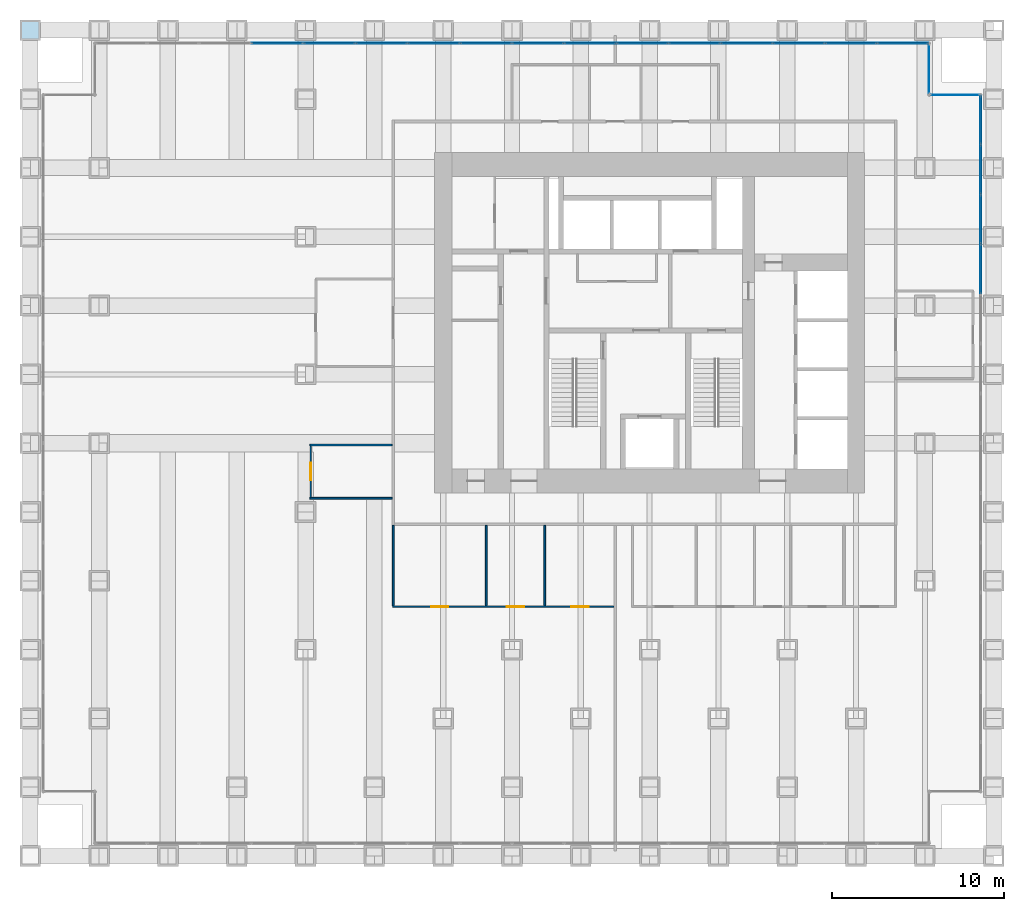
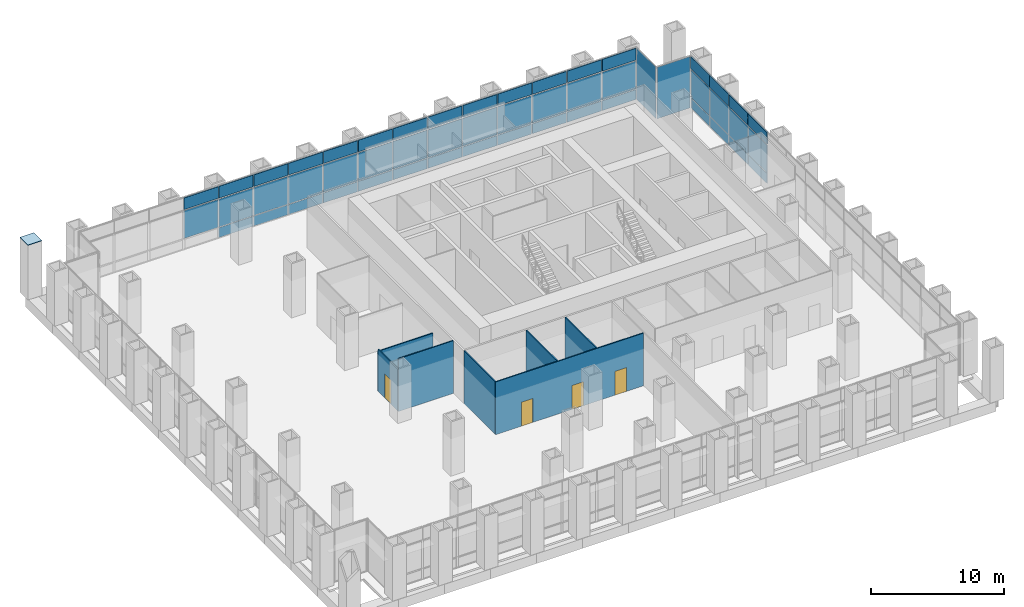
# One storey, part 14 of 18: 53 plates, 7 walls, 4 doors, 4 openings, 6 elements without a shape of their own.
"""IFC4 building model written with IfcOpenShell, lengths in metres."""

from ifc_helpers import new_model, si_unit, direction, frame, frame_2d, origin, origin_2d, place, context, subcontext, project, spatial, rectangle, extrude, material, layer, layer_set, type_object, element, fill, aggregate, save


model = new_model("IFC4")

# Units and contexts
model_context = context("Model", 3, precision=1e-05, world=origin(), true_north=direction((0.0, 1.0)))
body_context = subcontext(model_context, "Body", "Model", "MODEL_VIEW")
ifc_project = project(units=[si_unit("LENGTHUNIT", "METRE"), si_unit("AREAUNIT", "SQUARE_METRE"), si_unit("VOLUMEUNIT", "CUBIC_METRE"), si_unit("PLANEANGLEUNIT", "RADIAN"), si_unit("MASSUNIT", "GRAM", prefix="KILO")], contexts=[model_context])

# Site, building, storey
site_placement = place(None, origin())
site = spatial("IfcSite", under=ifc_project, at=site_placement, CompositionType="ELEMENT")
building_placement = place(site_placement, origin())
building = spatial("IfcBuilding", under=site, at=building_placement, Name="Rimbunsela Tower", CompositionType="ELEMENT")
storey_placement = place(building_placement, frame((0.0, 0.0, 6.0)))
storey = spatial("IfcBuildingStorey", under=building, at=storey_placement, Name="L01", CompositionType="ELEMENT", Elevation=6.0)

# Plate
ifc_material_1 = material(Name="Steel BJ 55 (fy 410 MPa)", Category="steel")
ifc_layer_1 = layer(ifc_material_1, 0.050048828125)
ifc_layer_set_1 = layer_set([ifc_layer_1], Name="End cap plate 50")
plate_type_1 = type_object("IfcPlateType", Name="End cap plate 50", PredefinedType="SHEET", material=ifc_layer_set_1)
plate_1_placement = place(storey_placement, frame((-6.0, 44.0, 5.0), z_axis=(0.0, 0.0, 1.0), x_axis=(1.0, 0.0, 0.0)))
element("IfcPlate", 1, at=plate_1_placement, inside=storey, type_object=plate_type_1, Name="End cap Column C6 1/N L01", PredefinedType="SHEET", context=body_context, shape_type="SweptSolid", body=[
    extrude(rectangle(XDim=1.199951171875, YDim=1.199951171875, at=origin_2d()), origin(), (0.0, 0.0, 1.0), 0.050048828125),
])

# Curtain wall, plate
ifc_material_2 = material(Name="Aluminium curtain wall", Category="aluminium")
curtain_wall_type_1 = type_object("IfcCurtainWallType", Name="Corner glazing", PredefinedType="USERDEFINED", material=ifc_material_2)
curtain_wall_1_placement = place(storey_placement, origin())
curtain_wall_1 = element("IfcCurtainWall", 2, at=curtain_wall_1_placement, inside=storey, type_object=curtain_wall_type_1, Name="Corner glazing L01", ObjectType="CORNER GLAZING", PredefinedType="USERDEFINED")
ifc_material_3 = material(Name="Clear double glazing", Category="glass")
ifc_layer_2 = layer(ifc_material_3, 0.028076171875)
ifc_layer_set_2 = layer_set([ifc_layer_2], Name="Glazed panel clear")
plate_type_2 = type_object("IfcPlateType", Name="Glazed panel clear", PredefinedType="CURTAIN_PANEL", material=ifc_layer_set_2)
plate_2_placement = place(storey_placement, frame((47.75, 40.25, 0.06005859375), z_axis=(0.0, 0.0, 1.0), x_axis=(-1.0, 0.0, 0.0)))
plate_2 = element("IfcPlate", 3, at=plate_2_placement, type_object=plate_type_2, Name="CW5 panel 1.1", PredefinedType="CURTAIN_PANEL", context=body_context, shape_type="SweptSolid", body=[
    extrude(rectangle(XDim=2.8798828125, YDim=0.028076171875, at=origin_2d()), origin(), (0.0, 0.0, 1.0), 4.72998046875),
])
aggregate(curtain_wall_1, [plate_2])

curtain_wall_2_placement = place(storey_placement, origin())
curtain_wall_2 = element("IfcCurtainWall", 4, at=curtain_wall_2_placement, inside=storey, type_object=curtain_wall_type_1, Name="Corner glazing L01", ObjectType="CORNER GLAZING", PredefinedType="USERDEFINED")
plate_3_placement = place(storey_placement, frame((46.25, 41.75, 0.06005859375), z_axis=(0.0, 0.0, 1.0), x_axis=(0.0, 1.0, 0.0)))
plate_3 = element("IfcPlate", 5, at=plate_3_placement, type_object=plate_type_2, Name="CW5 panel 1.1", PredefinedType="CURTAIN_PANEL", context=body_context, shape_type="SweptSolid", body=[
    extrude(rectangle(XDim=2.8798828125, YDim=0.028076171875, at=origin_2d()), origin(), (0.0, 0.0, 1.0), 4.72998046875),
])
aggregate(curtain_wall_2, [plate_3])

# Curtain wall, plates
ifc_material_4 = material(Name="Aluminium curtain wall", Category="aluminium")
curtain_wall_type_2 = type_object("IfcCurtainWallType", Name="Podium glazing", PredefinedType="USERDEFINED", material=ifc_material_4)
curtain_wall_3_placement = place(storey_placement, origin())
curtain_wall_3 = element("IfcCurtainWall", 6, at=curtain_wall_3_placement, inside=storey, type_object=curtain_wall_type_2, Name="Podium glazing L01", ObjectType="PODIUM GLAZING", PredefinedType="USERDEFINED")
ifc_material_5 = material(Name="Laminated double glazing", Category="glass")
ifc_layer_3 = layer(ifc_material_5, 0.0400390625)
ifc_layer_set_3 = layer_set([ifc_layer_3], Name="Glazed panel laminated 40")
plate_type_3 = type_object("IfcPlateType", Name="Glazed panel laminated 40", PredefinedType="CURTAIN_PANEL", material=ifc_layer_set_3)
plate_4_placement = place(storey_placement, frame((49.25, 30.125, 0.06005859375), z_axis=(0.0, 0.0, 1.0), x_axis=(0.0, 1.0, 0.0)))
plate_4 = element("IfcPlate", 7, at=plate_4_placement, type_object=plate_type_3, Name="CW1 panel 11.1", PredefinedType="CURTAIN_PANEL", context=body_context, shape_type="SweptSolid", body=[
    extrude(rectangle(XDim=2.832763671875, YDim=0.0400390625, at=origin_2d()), origin(), (0.0, 0.0, 1.0), 0.909912109375),
])
plate_5_placement = place(storey_placement, frame((49.25, 30.125, 1.030029296875), z_axis=(0.0, 0.0, 1.0), x_axis=(0.0, 1.0, 0.0)))
plate_5 = element("IfcPlate", 8, at=plate_5_placement, type_object=plate_type_3, Name="CW1 panel 11.2", PredefinedType="CURTAIN_PANEL", context=body_context, shape_type="SweptSolid", body=[
    extrude(rectangle(XDim=2.832763671875, YDim=0.0400390625, at=origin_2d()), origin(), (0.0, 0.0, 1.0), 2.56005859375),
])
plate_6_placement = place(storey_placement, frame((49.25, 33.017822265625, 0.06005859375), z_axis=(0.0, 0.0, 1.0), x_axis=(0.0, 1.0, 0.0)))
plate_6 = element("IfcPlate", 9, at=plate_6_placement, type_object=plate_type_3, Name="CW1 panel 12.1", PredefinedType="CURTAIN_PANEL", context=body_context, shape_type="SweptSolid", body=[
    extrude(rectangle(XDim=2.832763671875, YDim=0.0400390625, at=origin_2d()), origin(), (0.0, 0.0, 1.0), 0.909912109375),
])
plate_7_placement = place(storey_placement, frame((49.25, 33.017822265625, 1.030029296875), z_axis=(0.0, 0.0, 1.0), x_axis=(0.0, 1.0, 0.0)))
plate_7 = element("IfcPlate", 10, at=plate_7_placement, type_object=plate_type_3, Name="CW1 panel 12.2", PredefinedType="CURTAIN_PANEL", context=body_context, shape_type="SweptSolid", body=[
    extrude(rectangle(XDim=2.832763671875, YDim=0.0400390625, at=origin_2d()), origin(), (0.0, 0.0, 1.0), 2.56005859375),
])
plate_8_placement = place(storey_placement, frame((49.25, 35.91064453125, 0.06005859375), z_axis=(0.0, 0.0, 1.0), x_axis=(0.0, 1.0, 0.0)))
plate_8 = element("IfcPlate", 11, at=plate_8_placement, type_object=plate_type_3, Name="CW1 panel 13.1", PredefinedType="CURTAIN_PANEL", context=body_context, shape_type="SweptSolid", body=[
    extrude(rectangle(XDim=2.832763671875, YDim=0.0400390625, at=origin_2d()), origin(), (0.0, 0.0, 1.0), 0.909912109375),
])
plate_9_placement = place(storey_placement, frame((49.25, 35.91064453125, 1.030029296875), z_axis=(0.0, 0.0, 1.0), x_axis=(0.0, 1.0, 0.0)))
plate_9 = element("IfcPlate", 12, at=plate_9_placement, type_object=plate_type_3, Name="CW1 panel 13.2", PredefinedType="CURTAIN_PANEL", context=body_context, shape_type="SweptSolid", body=[
    extrude(rectangle(XDim=2.832763671875, YDim=0.0400390625, at=origin_2d()), origin(), (0.0, 0.0, 1.0), 2.56005859375),
])
plate_10_placement = place(storey_placement, frame((49.25, 38.78857421875, 0.06005859375), z_axis=(0.0, 0.0, 1.0), x_axis=(0.0, 1.0, 0.0)))
plate_10 = element("IfcPlate", 13, at=plate_10_placement, type_object=plate_type_3, Name="CW1 panel 14.1", PredefinedType="CURTAIN_PANEL", context=body_context, shape_type="SweptSolid", body=[
    extrude(rectangle(XDim=2.802978515625, YDim=0.0400390625, at=origin_2d()), origin(), (0.0, 0.0, 1.0), 0.909912109375),
])
plate_11_placement = place(storey_placement, frame((49.25, 38.78857421875, 1.030029296875), z_axis=(0.0, 0.0, 1.0), x_axis=(0.0, 1.0, 0.0)))
plate_11 = element("IfcPlate", 14, at=plate_11_placement, type_object=plate_type_3, Name="CW1 panel 14.2", PredefinedType="CURTAIN_PANEL", context=body_context, shape_type="SweptSolid", body=[
    extrude(rectangle(XDim=2.802978515625, YDim=0.0400390625, at=origin_2d()), origin(), (0.0, 0.0, 1.0), 2.56005859375),
])
aggregate(curtain_wall_3, [plate_4, plate_5, plate_6, plate_7, plate_8, plate_9, plate_10, plate_11])

curtain_wall_4_placement = place(storey_placement, origin())
curtain_wall_4 = element("IfcCurtainWall", 15, at=curtain_wall_4_placement, inside=storey, type_object=curtain_wall_type_2, Name="Podium glazing L01", ObjectType="PODIUM GLAZING", PredefinedType="USERDEFINED")
plate_12_placement = place(storey_placement, frame((44.719482421875, 43.25, 0.06005859375), z_axis=(0.0, 0.0, 1.0), x_axis=(-1.0, 0.0, 0.0)))
plate_12 = element("IfcPlate", 16, at=plate_12_placement, type_object=plate_type_3, Name="CW1 panel 1.1", PredefinedType="CURTAIN_PANEL", context=body_context, shape_type="SweptSolid", body=[
    extrude(rectangle(XDim=2.941162109375, YDim=0.0400390625, at=origin_2d()), origin(), (0.0, 0.0, 1.0), 0.909912109375),
])
plate_13_placement = place(storey_placement, frame((44.719482421875, 43.25, 1.030029296875), z_axis=(0.0, 0.0, 1.0), x_axis=(-1.0, 0.0, 0.0)))
plate_13 = element("IfcPlate", 17, at=plate_13_placement, type_object=plate_type_3, Name="CW1 panel 1.2", PredefinedType="CURTAIN_PANEL", context=body_context, shape_type="SweptSolid", body=[
    extrude(rectangle(XDim=2.941162109375, YDim=0.0400390625, at=origin_2d()), origin(), (0.0, 0.0, 1.0), 2.56005859375),
])
plate_14_placement = place(storey_placement, frame((41.703125, 43.25, 0.06005859375), z_axis=(0.0, 0.0, 1.0), x_axis=(-1.0, 0.0, 0.0)))
plate_14 = element("IfcPlate", 18, at=plate_14_placement, type_object=plate_type_3, Name="CW1 panel 2.1", PredefinedType="CURTAIN_PANEL", context=body_context, shape_type="SweptSolid", body=[
    extrude(rectangle(XDim=2.97119140625, YDim=0.0400390625, at=origin_2d()), origin(), (0.0, 0.0, 1.0), 0.909912109375),
])
plate_15_placement = place(storey_placement, frame((41.703125, 43.25, 1.030029296875), z_axis=(0.0, 0.0, 1.0), x_axis=(-1.0, 0.0, 0.0)))
plate_15 = element("IfcPlate", 19, at=plate_15_placement, type_object=plate_type_3, Name="CW1 panel 2.2", PredefinedType="CURTAIN_PANEL", context=body_context, shape_type="SweptSolid", body=[
    extrude(rectangle(XDim=2.97119140625, YDim=0.0400390625, at=origin_2d()), origin(), (0.0, 0.0, 1.0), 2.56005859375),
])
plate_16_placement = place(storey_placement, frame((38.671875, 43.25, 0.06005859375), z_axis=(0.0, 0.0, 1.0), x_axis=(-1.0, 0.0, 0.0)))
plate_16 = element("IfcPlate", 20, at=plate_16_placement, type_object=plate_type_3, Name="CW1 panel 3.1", PredefinedType="CURTAIN_PANEL", context=body_context, shape_type="SweptSolid", body=[
    extrude(rectangle(XDim=2.97119140625, YDim=0.0400390625, at=origin_2d()), origin(), (0.0, 0.0, 1.0), 0.909912109375),
])
plate_17_placement = place(storey_placement, frame((38.671875, 43.25, 1.030029296875), z_axis=(0.0, 0.0, 1.0), x_axis=(-1.0, 0.0, 0.0)))
plate_17 = element("IfcPlate", 21, at=plate_17_placement, type_object=plate_type_3, Name="CW1 panel 3.2", PredefinedType="CURTAIN_PANEL", context=body_context, shape_type="SweptSolid", body=[
    extrude(rectangle(XDim=2.97119140625, YDim=0.0400390625, at=origin_2d()), origin(), (0.0, 0.0, 1.0), 2.56005859375),
])
plate_18_placement = place(storey_placement, frame((35.640625, 43.25, 0.06005859375), z_axis=(0.0, 0.0, 1.0), x_axis=(-1.0, 0.0, 0.0)))
plate_18 = element("IfcPlate", 22, at=plate_18_placement, type_object=plate_type_3, Name="CW1 panel 4.1", PredefinedType="CURTAIN_PANEL", context=body_context, shape_type="SweptSolid", body=[
    extrude(rectangle(XDim=2.97119140625, YDim=0.0400390625, at=origin_2d()), origin(), (0.0, 0.0, 1.0), 0.909912109375),
])
plate_19_placement = place(storey_placement, frame((35.640625, 43.25, 1.030029296875), z_axis=(0.0, 0.0, 1.0), x_axis=(-1.0, 0.0, 0.0)))
plate_19 = element("IfcPlate", 23, at=plate_19_placement, type_object=plate_type_3, Name="CW1 panel 4.2", PredefinedType="CURTAIN_PANEL", context=body_context, shape_type="SweptSolid", body=[
    extrude(rectangle(XDim=2.97119140625, YDim=0.0400390625, at=origin_2d()), origin(), (0.0, 0.0, 1.0), 2.56005859375),
])
plate_20_placement = place(storey_placement, frame((32.609375, 43.25, 0.06005859375), z_axis=(0.0, 0.0, 1.0), x_axis=(-1.0, 0.0, 0.0)))
plate_20 = element("IfcPlate", 24, at=plate_20_placement, type_object=plate_type_3, Name="CW1 panel 5.1", PredefinedType="CURTAIN_PANEL", context=body_context, shape_type="SweptSolid", body=[
    extrude(rectangle(XDim=2.97119140625, YDim=0.0400390625, at=origin_2d()), origin(), (0.0, 0.0, 1.0), 0.909912109375),
])
plate_21_placement = place(storey_placement, frame((32.609375, 43.25, 1.030029296875), z_axis=(0.0, 0.0, 1.0), x_axis=(-1.0, 0.0, 0.0)))
plate_21 = element("IfcPlate", 25, at=plate_21_placement, type_object=plate_type_3, Name="CW1 panel 5.2", PredefinedType="CURTAIN_PANEL", context=body_context, shape_type="SweptSolid", body=[
    extrude(rectangle(XDim=2.97119140625, YDim=0.0400390625, at=origin_2d()), origin(), (0.0, 0.0, 1.0), 2.56005859375),
])
plate_22_placement = place(storey_placement, frame((29.578125, 43.25, 0.06005859375), z_axis=(0.0, 0.0, 1.0), x_axis=(-1.0, 0.0, 0.0)))
plate_22 = element("IfcPlate", 26, at=plate_22_placement, type_object=plate_type_3, Name="CW1 panel 6.1", PredefinedType="CURTAIN_PANEL", context=body_context, shape_type="SweptSolid", body=[
    extrude(rectangle(XDim=2.97119140625, YDim=0.0400390625, at=origin_2d()), origin(), (0.0, 0.0, 1.0), 0.909912109375),
])
plate_23_placement = place(storey_placement, frame((29.578125, 43.25, 1.030029296875), z_axis=(0.0, 0.0, 1.0), x_axis=(-1.0, 0.0, 0.0)))
plate_23 = element("IfcPlate", 27, at=plate_23_placement, type_object=plate_type_3, Name="CW1 panel 6.2", PredefinedType="CURTAIN_PANEL", context=body_context, shape_type="SweptSolid", body=[
    extrude(rectangle(XDim=2.97119140625, YDim=0.0400390625, at=origin_2d()), origin(), (0.0, 0.0, 1.0), 2.56005859375),
])
plate_24_placement = place(storey_placement, frame((26.546875, 43.25, 0.06005859375), z_axis=(0.0, 0.0, 1.0), x_axis=(-1.0, 0.0, 0.0)))
plate_24 = element("IfcPlate", 28, at=plate_24_placement, type_object=plate_type_3, Name="CW1 panel 7.1", PredefinedType="CURTAIN_PANEL", context=body_context, shape_type="SweptSolid", body=[
    extrude(rectangle(XDim=2.97119140625, YDim=0.0400390625, at=origin_2d()), origin(), (0.0, 0.0, 1.0), 0.909912109375),
])
plate_25_placement = place(storey_placement, frame((26.546875, 43.25, 1.030029296875), z_axis=(0.0, 0.0, 1.0), x_axis=(-1.0, 0.0, 0.0)))
plate_25 = element("IfcPlate", 29, at=plate_25_placement, type_object=plate_type_3, Name="CW1 panel 7.2", PredefinedType="CURTAIN_PANEL", context=body_context, shape_type="SweptSolid", body=[
    extrude(rectangle(XDim=2.97119140625, YDim=0.0400390625, at=origin_2d()), origin(), (0.0, 0.0, 1.0), 2.56005859375),
])
plate_26_placement = place(storey_placement, frame((23.515625, 43.25, 0.06005859375), z_axis=(0.0, 0.0, 1.0), x_axis=(-1.0, 0.0, 0.0)))
plate_26 = element("IfcPlate", 30, at=plate_26_placement, type_object=plate_type_3, Name="CW1 panel 8.1", PredefinedType="CURTAIN_PANEL", context=body_context, shape_type="SweptSolid", body=[
    extrude(rectangle(XDim=2.97119140625, YDim=0.0400390625, at=origin_2d()), origin(), (0.0, 0.0, 1.0), 0.909912109375),
])
plate_27_placement = place(storey_placement, frame((23.515625, 43.25, 1.030029296875), z_axis=(0.0, 0.0, 1.0), x_axis=(-1.0, 0.0, 0.0)))
plate_27 = element("IfcPlate", 31, at=plate_27_placement, type_object=plate_type_3, Name="CW1 panel 8.2", PredefinedType="CURTAIN_PANEL", context=body_context, shape_type="SweptSolid", body=[
    extrude(rectangle(XDim=2.97119140625, YDim=0.0400390625, at=origin_2d()), origin(), (0.0, 0.0, 1.0), 2.56005859375),
])
plate_28_placement = place(storey_placement, frame((20.484375, 43.25, 0.06005859375), z_axis=(0.0, 0.0, 1.0), x_axis=(-1.0, 0.0, 0.0)))
plate_28 = element("IfcPlate", 32, at=plate_28_placement, type_object=plate_type_3, Name="CW1 panel 9.1", PredefinedType="CURTAIN_PANEL", context=body_context, shape_type="SweptSolid", body=[
    extrude(rectangle(XDim=2.97119140625, YDim=0.0400390625, at=origin_2d()), origin(), (0.0, 0.0, 1.0), 0.909912109375),
])
plate_29_placement = place(storey_placement, frame((20.484375, 43.25, 1.030029296875), z_axis=(0.0, 0.0, 1.0), x_axis=(-1.0, 0.0, 0.0)))
plate_29 = element("IfcPlate", 33, at=plate_29_placement, type_object=plate_type_3, Name="CW1 panel 9.2", PredefinedType="CURTAIN_PANEL", context=body_context, shape_type="SweptSolid", body=[
    extrude(rectangle(XDim=2.97119140625, YDim=0.0400390625, at=origin_2d()), origin(), (0.0, 0.0, 1.0), 2.56005859375),
])
plate_30_placement = place(storey_placement, frame((17.453125, 43.25, 0.06005859375), z_axis=(0.0, 0.0, 1.0), x_axis=(-1.0, 0.0, 0.0)))
plate_30 = element("IfcPlate", 34, at=plate_30_placement, type_object=plate_type_3, Name="CW1 panel 10.1", PredefinedType="CURTAIN_PANEL", context=body_context, shape_type="SweptSolid", body=[
    extrude(rectangle(XDim=2.97119140625, YDim=0.0400390625, at=origin_2d()), origin(), (0.0, 0.0, 1.0), 0.909912109375),
])
plate_31_placement = place(storey_placement, frame((17.453125, 43.25, 1.030029296875), z_axis=(0.0, 0.0, 1.0), x_axis=(-1.0, 0.0, 0.0)))
plate_31 = element("IfcPlate", 35, at=plate_31_placement, type_object=plate_type_3, Name="CW1 panel 10.2", PredefinedType="CURTAIN_PANEL", context=body_context, shape_type="SweptSolid", body=[
    extrude(rectangle(XDim=2.97119140625, YDim=0.0400390625, at=origin_2d()), origin(), (0.0, 0.0, 1.0), 2.56005859375),
])
plate_32_placement = place(storey_placement, frame((14.421875, 43.25, 0.06005859375), z_axis=(0.0, 0.0, 1.0), x_axis=(-1.0, 0.0, 0.0)))
plate_32 = element("IfcPlate", 36, at=plate_32_placement, type_object=plate_type_3, Name="CW1 panel 11.1", PredefinedType="CURTAIN_PANEL", context=body_context, shape_type="SweptSolid", body=[
    extrude(rectangle(XDim=2.97119140625, YDim=0.0400390625, at=origin_2d()), origin(), (0.0, 0.0, 1.0), 0.909912109375),
])
plate_33_placement = place(storey_placement, frame((14.421875, 43.25, 1.030029296875), z_axis=(0.0, 0.0, 1.0), x_axis=(-1.0, 0.0, 0.0)))
plate_33 = element("IfcPlate", 37, at=plate_33_placement, type_object=plate_type_3, Name="CW1 panel 11.2", PredefinedType="CURTAIN_PANEL", context=body_context, shape_type="SweptSolid", body=[
    extrude(rectangle(XDim=2.97119140625, YDim=0.0400390625, at=origin_2d()), origin(), (0.0, 0.0, 1.0), 2.56005859375),
])
plate_34_placement = place(storey_placement, frame((11.390625, 43.25, 0.06005859375), z_axis=(0.0, 0.0, 1.0), x_axis=(-1.0, 0.0, 0.0)))
plate_34 = element("IfcPlate", 38, at=plate_34_placement, type_object=plate_type_3, Name="CW1 panel 12.1", PredefinedType="CURTAIN_PANEL", context=body_context, shape_type="SweptSolid", body=[
    extrude(rectangle(XDim=2.97119140625, YDim=0.0400390625, at=origin_2d()), origin(), (0.0, 0.0, 1.0), 0.909912109375),
])
plate_35_placement = place(storey_placement, frame((11.390625, 43.25, 1.030029296875), z_axis=(0.0, 0.0, 1.0), x_axis=(-1.0, 0.0, 0.0)))
plate_35 = element("IfcPlate", 39, at=plate_35_placement, type_object=plate_type_3, Name="CW1 panel 12.2", PredefinedType="CURTAIN_PANEL", context=body_context, shape_type="SweptSolid", body=[
    extrude(rectangle(XDim=2.97119140625, YDim=0.0400390625, at=origin_2d()), origin(), (0.0, 0.0, 1.0), 2.56005859375),
])
plate_36_placement = place(storey_placement, frame((8.359375, 43.25, 1.030029296875), z_axis=(0.0, 0.0, 1.0), x_axis=(-1.0, 0.0, 0.0)))
plate_36 = element("IfcPlate", 40, at=plate_36_placement, type_object=plate_type_3, Name="CW1 panel 13.2", PredefinedType="CURTAIN_PANEL", context=body_context, shape_type="SweptSolid", body=[
    extrude(rectangle(XDim=2.97119140625, YDim=0.0400390625, at=origin_2d()), origin(), (0.0, 0.0, 1.0), 2.56005859375),
])
aggregate(curtain_wall_4, [plate_12, plate_13, plate_14, plate_15, plate_16, plate_17, plate_18, plate_19, plate_20, plate_21, plate_22, plate_23, plate_24, plate_25, plate_26, plate_27, plate_28, plate_29, plate_30, plate_31, plate_32, plate_33, plate_34, plate_35, plate_36])

ifc_material_6 = material(Name="Aluminium curtain wall", Category="aluminium")
curtain_wall_type_3 = type_object("IfcCurtainWallType", Name="Spandrel wall", PredefinedType="USERDEFINED", material=ifc_material_6)
curtain_wall_5_placement = place(storey_placement, origin())
curtain_wall_5 = element("IfcCurtainWall", 41, at=curtain_wall_5_placement, inside=storey, type_object=curtain_wall_type_3, Name="Spandrel wall L01", ObjectType="SPANDREL WALL", PredefinedType="USERDEFINED")
ifc_material_7 = material(Name="Insulated aluminium spandrel panel", Category="aluminium")
ifc_layer_4 = layer(ifc_material_7, 0.10009765625)
ifc_layer_set_4 = layer_set([ifc_layer_4], Name="Insulated panel 100")
plate_type_4 = type_object("IfcPlateType", Name="Insulated panel 100", PredefinedType="CURTAIN_PANEL", material=ifc_layer_set_4)
plate_37_placement = place(storey_placement, frame((49.25, 30.125, 3.7099609375), z_axis=(0.0, 0.0, 1.0), x_axis=(0.0, 1.0, 0.0)))
plate_37 = element("IfcPlate", 42, at=plate_37_placement, type_object=plate_type_4, Name="CW7 panel 11.1", PredefinedType="CURTAIN_PANEL", context=body_context, shape_type="SweptSolid", body=[
    extrude(rectangle(XDim=2.832763671875, YDim=0.10009765625, at=origin_2d()), origin(), (0.0, 0.0, 1.0), 1.080078125),
])
plate_38_placement = place(storey_placement, frame((49.25, 33.017822265625, 3.7099609375), z_axis=(0.0, 0.0, 1.0), x_axis=(0.0, 1.0, 0.0)))
plate_38 = element("IfcPlate", 43, at=plate_38_placement, type_object=plate_type_4, Name="CW7 panel 12.1", PredefinedType="CURTAIN_PANEL", context=body_context, shape_type="SweptSolid", body=[
    extrude(rectangle(XDim=2.832763671875, YDim=0.10009765625, at=origin_2d()), origin(), (0.0, 0.0, 1.0), 1.080078125),
])
plate_39_placement = place(storey_placement, frame((49.25, 35.91064453125, 3.7099609375), z_axis=(0.0, 0.0, 1.0), x_axis=(0.0, 1.0, 0.0)))
plate_39 = element("IfcPlate", 44, at=plate_39_placement, type_object=plate_type_4, Name="CW7 panel 13.1", PredefinedType="CURTAIN_PANEL", context=body_context, shape_type="SweptSolid", body=[
    extrude(rectangle(XDim=2.832763671875, YDim=0.10009765625, at=origin_2d()), origin(), (0.0, 0.0, 1.0), 1.080078125),
])
plate_40_placement = place(storey_placement, frame((49.25, 38.78857421875, 3.7099609375), z_axis=(0.0, 0.0, 1.0), x_axis=(0.0, 1.0, 0.0)))
plate_40 = element("IfcPlate", 45, at=plate_40_placement, type_object=plate_type_4, Name="CW7 panel 14.1", PredefinedType="CURTAIN_PANEL", context=body_context, shape_type="SweptSolid", body=[
    extrude(rectangle(XDim=2.802978515625, YDim=0.10009765625, at=origin_2d()), origin(), (0.0, 0.0, 1.0), 1.080078125),
])
aggregate(curtain_wall_5, [plate_37, plate_38, plate_39, plate_40])

curtain_wall_6_placement = place(storey_placement, origin())
curtain_wall_6 = element("IfcCurtainWall", 46, at=curtain_wall_6_placement, inside=storey, type_object=curtain_wall_type_3, Name="Spandrel wall L01", ObjectType="SPANDREL WALL", PredefinedType="USERDEFINED")
plate_41_placement = place(storey_placement, frame((44.719482421875, 43.25, 3.7099609375), z_axis=(0.0, 0.0, 1.0), x_axis=(-1.0, 0.0, 0.0)))
plate_41 = element("IfcPlate", 47, at=plate_41_placement, type_object=plate_type_4, Name="CW7 panel 1.1", PredefinedType="CURTAIN_PANEL", context=body_context, shape_type="SweptSolid", body=[
    extrude(rectangle(XDim=2.941162109375, YDim=0.10009765625, at=origin_2d()), origin(), (0.0, 0.0, 1.0), 1.080078125),
])
plate_42_placement = place(storey_placement, frame((41.703125, 43.25, 3.7099609375), z_axis=(0.0, 0.0, 1.0), x_axis=(-1.0, 0.0, 0.0)))
plate_42 = element("IfcPlate", 48, at=plate_42_placement, type_object=plate_type_4, Name="CW7 panel 2.1", PredefinedType="CURTAIN_PANEL", context=body_context, shape_type="SweptSolid", body=[
    extrude(rectangle(XDim=2.97119140625, YDim=0.10009765625, at=origin_2d()), origin(), (0.0, 0.0, 1.0), 1.080078125),
])
plate_43_placement = place(storey_placement, frame((38.671875, 43.25, 3.7099609375), z_axis=(0.0, 0.0, 1.0), x_axis=(-1.0, 0.0, 0.0)))
plate_43 = element("IfcPlate", 49, at=plate_43_placement, type_object=plate_type_4, Name="CW7 panel 3.1", PredefinedType="CURTAIN_PANEL", context=body_context, shape_type="SweptSolid", body=[
    extrude(rectangle(XDim=2.97119140625, YDim=0.10009765625, at=origin_2d()), origin(), (0.0, 0.0, 1.0), 1.080078125),
])
plate_44_placement = place(storey_placement, frame((35.640625, 43.25, 3.7099609375), z_axis=(0.0, 0.0, 1.0), x_axis=(-1.0, 0.0, 0.0)))
plate_44 = element("IfcPlate", 50, at=plate_44_placement, type_object=plate_type_4, Name="CW7 panel 4.1", PredefinedType="CURTAIN_PANEL", context=body_context, shape_type="SweptSolid", body=[
    extrude(rectangle(XDim=2.97119140625, YDim=0.10009765625, at=origin_2d()), origin(), (0.0, 0.0, 1.0), 1.080078125),
])
plate_45_placement = place(storey_placement, frame((32.609375, 43.25, 3.7099609375), z_axis=(0.0, 0.0, 1.0), x_axis=(-1.0, 0.0, 0.0)))
plate_45 = element("IfcPlate", 51, at=plate_45_placement, type_object=plate_type_4, Name="CW7 panel 5.1", PredefinedType="CURTAIN_PANEL", context=body_context, shape_type="SweptSolid", body=[
    extrude(rectangle(XDim=2.97119140625, YDim=0.10009765625, at=origin_2d()), origin(), (0.0, 0.0, 1.0), 1.080078125),
])
plate_46_placement = place(storey_placement, frame((29.578125, 43.25, 3.7099609375), z_axis=(0.0, 0.0, 1.0), x_axis=(-1.0, 0.0, 0.0)))
plate_46 = element("IfcPlate", 52, at=plate_46_placement, type_object=plate_type_4, Name="CW7 panel 6.1", PredefinedType="CURTAIN_PANEL", context=body_context, shape_type="SweptSolid", body=[
    extrude(rectangle(XDim=2.97119140625, YDim=0.10009765625, at=origin_2d()), origin(), (0.0, 0.0, 1.0), 1.080078125),
])
plate_47_placement = place(storey_placement, frame((26.546875, 43.25, 3.7099609375), z_axis=(0.0, 0.0, 1.0), x_axis=(-1.0, 0.0, 0.0)))
plate_47 = element("IfcPlate", 53, at=plate_47_placement, type_object=plate_type_4, Name="CW7 panel 7.1", PredefinedType="CURTAIN_PANEL", context=body_context, shape_type="SweptSolid", body=[
    extrude(rectangle(XDim=2.97119140625, YDim=0.10009765625, at=origin_2d()), origin(), (0.0, 0.0, 1.0), 1.080078125),
])
plate_48_placement = place(storey_placement, frame((23.515625, 43.25, 3.7099609375), z_axis=(0.0, 0.0, 1.0), x_axis=(-1.0, 0.0, 0.0)))
plate_48 = element("IfcPlate", 54, at=plate_48_placement, type_object=plate_type_4, Name="CW7 panel 8.1", PredefinedType="CURTAIN_PANEL", context=body_context, shape_type="SweptSolid", body=[
    extrude(rectangle(XDim=2.97119140625, YDim=0.10009765625, at=origin_2d()), origin(), (0.0, 0.0, 1.0), 1.080078125),
])
plate_49_placement = place(storey_placement, frame((20.484375, 43.25, 3.7099609375), z_axis=(0.0, 0.0, 1.0), x_axis=(-1.0, 0.0, 0.0)))
plate_49 = element("IfcPlate", 55, at=plate_49_placement, type_object=plate_type_4, Name="CW7 panel 9.1", PredefinedType="CURTAIN_PANEL", context=body_context, shape_type="SweptSolid", body=[
    extrude(rectangle(XDim=2.97119140625, YDim=0.10009765625, at=origin_2d()), origin(), (0.0, 0.0, 1.0), 1.080078125),
])
plate_50_placement = place(storey_placement, frame((17.453125, 43.25, 3.7099609375), z_axis=(0.0, 0.0, 1.0), x_axis=(-1.0, 0.0, 0.0)))
plate_50 = element("IfcPlate", 56, at=plate_50_placement, type_object=plate_type_4, Name="CW7 panel 10.1", PredefinedType="CURTAIN_PANEL", context=body_context, shape_type="SweptSolid", body=[
    extrude(rectangle(XDim=2.97119140625, YDim=0.10009765625, at=origin_2d()), origin(), (0.0, 0.0, 1.0), 1.080078125),
])
plate_51_placement = place(storey_placement, frame((14.421875, 43.25, 3.7099609375), z_axis=(0.0, 0.0, 1.0), x_axis=(-1.0, 0.0, 0.0)))
plate_51 = element("IfcPlate", 57, at=plate_51_placement, type_object=plate_type_4, Name="CW7 panel 11.1", PredefinedType="CURTAIN_PANEL", context=body_context, shape_type="SweptSolid", body=[
    extrude(rectangle(XDim=2.97119140625, YDim=0.10009765625, at=origin_2d()), origin(), (0.0, 0.0, 1.0), 1.080078125),
])
plate_52_placement = place(storey_placement, frame((11.390625, 43.25, 3.7099609375), z_axis=(0.0, 0.0, 1.0), x_axis=(-1.0, 0.0, 0.0)))
plate_52 = element("IfcPlate", 58, at=plate_52_placement, type_object=plate_type_4, Name="CW7 panel 12.1", PredefinedType="CURTAIN_PANEL", context=body_context, shape_type="SweptSolid", body=[
    extrude(rectangle(XDim=2.97119140625, YDim=0.10009765625, at=origin_2d()), origin(), (0.0, 0.0, 1.0), 1.080078125),
])
plate_53_placement = place(storey_placement, frame((8.359375, 43.25, 3.7099609375), z_axis=(0.0, 0.0, 1.0), x_axis=(-1.0, 0.0, 0.0)))
plate_53 = element("IfcPlate", 59, at=plate_53_placement, type_object=plate_type_4, Name="CW7 panel 13.1", PredefinedType="CURTAIN_PANEL", context=body_context, shape_type="SweptSolid", body=[
    extrude(rectangle(XDim=2.97119140625, YDim=0.10009765625, at=origin_2d()), origin(), (0.0, 0.0, 1.0), 1.080078125),
])
aggregate(curtain_wall_6, [plate_41, plate_42, plate_43, plate_44, plate_45, plate_46, plate_47, plate_48, plate_49, plate_50, plate_51, plate_52, plate_53])

# Wall, openings, doors
ifc_material_8 = material(Name="Gypsum board on steel studs", Category="steel")
ifc_layer_5 = layer(ifc_material_8, 0.10009765625)
ifc_layer_set_5 = layer_set([ifc_layer_5], Name="Office partition 100")
wall_type = type_object("IfcWallType", Name="Office partition 100", PredefinedType="PARTITIONING", material=ifc_layer_set_5)
wall_1_placement = place(storey_placement, frame((15.050048828125, 10.5, 0.0), z_axis=(0.0, 0.0, 1.0), x_axis=(1.0, 0.0, 0.0)))
wall_1 = element("IfcWall", 60, at=wall_1_placement, inside=storey, type_object=wall_type, Name="Office partition", PredefinedType="PARTITIONING", context=body_context, shape_type="SweptSolid", body=[
    extrude(rectangle(XDim=12.888916015625, YDim=0.10009765625, at=frame_2d((6.4443359375, 0.0))), origin(), (0.0, 0.0, 1.0), 4.85009765625),
])
opening_1_placement = place(wall_1_placement, frame((2.25, 0.0, 0.0)))
opening_1 = element("IfcOpeningElement", 61, at=opening_1_placement, cuts=wall_1, Name="Opening D17", PredefinedType="OPENING", context=body_context, shape_type="SweptSolid", body=[
    extrude(rectangle(XDim=1.0, YDim=2.199951171875, at=frame_2d((0.5, 1.10009765625))), frame((0.0, 0.06005859375, 0.0), z_axis=(0.0, -1.0, 0.0), x_axis=(1.0, 0.0, 0.0)), (0.0, 0.0, 1.0), 0.1201171875),
])
opening_2_placement = place(wall_1_placement, frame((6.64990234375, 0.0, 0.0)))
opening_2 = element("IfcOpeningElement", 62, at=opening_2_placement, cuts=wall_1, Name="Opening D16", PredefinedType="OPENING", context=body_context, shape_type="SweptSolid", body=[
    extrude(rectangle(XDim=1.0, YDim=2.199951171875, at=frame_2d((0.5, 1.10009765625))), frame((0.0, 0.06005859375, 0.0), z_axis=(0.0, -1.0, 0.0), x_axis=(1.0, 0.0, 0.0)), (0.0, 0.0, 1.0), 0.1201171875),
])
opening_3_placement = place(wall_1_placement, frame((10.3994140625, 0.0, 0.0)))
opening_3 = element("IfcOpeningElement", 63, at=opening_3_placement, cuts=wall_1, Name="Opening D16", PredefinedType="OPENING", context=body_context, shape_type="SweptSolid", body=[
    extrude(rectangle(XDim=1.0, YDim=2.199951171875, at=frame_2d((0.5, 1.10009765625))), frame((0.0, 0.06005859375, 0.0), z_axis=(0.0, -1.0, 0.0), x_axis=(1.0, 0.0, 0.0)), (0.0, 0.0, 1.0), 0.1201171875),
])
ifc_material_9 = material(Name="Glazed aluminium door", Category="aluminium")
door_type_1 = type_object("IfcDoorType", Name="Meeting room door 1000 glazed", OperationType="SINGLE_SWING_RIGHT", PredefinedType="DOOR", material=ifc_material_9)
door_1_placement = place(opening_1_placement, origin())
door_1 = element("IfcDoor", 64, at=door_1_placement, inside=storey, type_object=door_type_1, Name="Meeting room door", OperationType="SINGLE_SWING_RIGHT", OverallHeight=2.199951171875, OverallWidth=1.0, PredefinedType="DOOR", context=body_context, shape_type="SweptSolid", body=[
    extrude(rectangle(XDim=1.0, YDim=2.199951171875, at=frame_2d((0.5, 1.10009765625))), frame((0.0, 0.02490234375, 0.0), z_axis=(0.0, -1.0, 0.0), x_axis=(1.0, 0.0, 0.0)), (0.0, 0.0, 1.0), 0.050048828125),
])
fill(opening_1, door_1)
ifc_material_10 = material(Name="Timber door", Category="wood")
door_type_2 = type_object("IfcDoorType", Name="Office door 1000", OperationType="SINGLE_SWING_LEFT", PredefinedType="DOOR", material=ifc_material_10)
door_2_placement = place(opening_2_placement, origin())
door_2 = element("IfcDoor", 65, at=door_2_placement, inside=storey, type_object=door_type_2, Name="Office door", OperationType="SINGLE_SWING_LEFT", OverallHeight=2.199951171875, OverallWidth=1.0, PredefinedType="DOOR", context=body_context, shape_type="SweptSolid", body=[
    extrude(rectangle(XDim=1.0, YDim=2.199951171875, at=frame_2d((0.5, 1.10009765625))), frame((0.0, 0.02490234375, 0.0), z_axis=(0.0, -1.0, 0.0), x_axis=(1.0, 0.0, 0.0)), (0.0, 0.0, 1.0), 0.050048828125),
])
fill(opening_2, door_2)
door_3_placement = place(opening_3_placement, origin())
door_3 = element("IfcDoor", 66, at=door_3_placement, inside=storey, type_object=door_type_2, Name="Office door", OperationType="SINGLE_SWING_LEFT", OverallHeight=2.199951171875, OverallWidth=1.0, PredefinedType="DOOR", context=body_context, shape_type="SweptSolid", body=[
    extrude(rectangle(XDim=1.0, YDim=2.199951171875, at=frame_2d((0.5, 1.10009765625))), frame((0.0, 0.02490234375, 0.0), z_axis=(0.0, -1.0, 0.0), x_axis=(1.0, 0.0, 0.0)), (0.0, 0.0, 1.0), 0.050048828125),
])
fill(opening_3, door_3)

# Walls
wall_2_placement = place(storey_placement, frame((10.25, 16.800048828125, 0.0), z_axis=(0.0, 0.0, 1.0), x_axis=(1.0, 0.0, 0.0)))
element("IfcWall", 67, at=wall_2_placement, inside=storey, type_object=wall_type, Name="Office partition", PredefinedType="PARTITIONING", context=body_context, shape_type="SweptSolid", body=[
    extrude(rectangle(XDim=4.77490234375, YDim=0.10009765625, at=frame_2d((2.387451171875, 0.0))), origin(), (0.0, 0.0, 1.0), 4.85009765625),
])
wall_3_placement = place(storey_placement, frame((10.25, 19.89990234375, 0.0), z_axis=(0.0, 0.0, 1.0), x_axis=(1.0, 0.0, 0.0)))
element("IfcWall", 68, at=wall_3_placement, inside=storey, type_object=wall_type, Name="Office partition", PredefinedType="PARTITIONING", context=body_context, shape_type="SweptSolid", body=[
    extrude(rectangle(XDim=4.77490234375, YDim=0.10009765625, at=frame_2d((2.387451171875, 0.0))), origin(), (0.0, 0.0, 1.0), 3.64990234375),
])

# Wall, opening, door
wall_4_placement = place(storey_placement, frame((10.300048828125, 16.85009765625, 0.0), z_axis=(0.0, 0.0, 1.0), x_axis=(0.0, 1.0, 0.0)))
wall_4 = element("IfcWall", 69, at=wall_4_placement, inside=storey, type_object=wall_type, Name="Office partition", PredefinedType="PARTITIONING", context=body_context, shape_type="SweptSolid", body=[
    extrude(rectangle(XDim=3.0, YDim=0.10009765625, at=frame_2d((1.5, 0.0))), origin(), (0.0, 0.0, 1.0), 3.85009765625),
])
opening_4_placement = place(wall_4_placement, frame((1.0, 0.0, 0.0)))
opening_4 = element("IfcOpeningElement", 70, at=opening_4_placement, cuts=wall_4, Name="Opening D16", PredefinedType="OPENING", context=body_context, shape_type="SweptSolid", body=[
    extrude(rectangle(XDim=1.0, YDim=2.199951171875, at=frame_2d((0.5, 1.10009765625))), frame((0.0, 0.06005859375, 0.0), z_axis=(0.0, -1.0, 0.0), x_axis=(1.0, 0.0, 0.0)), (0.0, 0.0, 1.0), 0.1201171875),
])
door_4_placement = place(opening_4_placement, origin())
door_4 = element("IfcDoor", 71, at=door_4_placement, inside=storey, type_object=door_type_2, Name="Office door", OperationType="SINGLE_SWING_LEFT", OverallHeight=2.199951171875, OverallWidth=1.0, PredefinedType="DOOR", context=body_context, shape_type="SweptSolid", body=[
    extrude(rectangle(XDim=1.0, YDim=2.199951171875, at=frame_2d((0.5, 1.10009765625))), frame((0.0, 0.02490234375, 0.0), z_axis=(0.0, -1.0, 0.0), x_axis=(1.0, 0.0, 0.0)), (0.0, 0.0, 1.0), 0.050048828125),
])
fill(opening_4, door_4)

# Walls
for number, where, z_axis, x_axis, name in (
    (72, (15.10009765625, 10.550048828125, 0.0), (0.0, 0.0, 1.0), (0.0, 1.0, 0.0), "Office partition"),
    (73, (20.5, 10.550048828125, 0.0), (0.0, 0.0, 1.0), (0.0, 1.0, 0.0), "Office partition"),
    (74, (23.89990234375, 10.550048828125, 0.0), (0.0, 0.0, 1.0), (0.0, 1.0, 0.0), "Office partition"),
):
    element("IfcWall", number, at=place(storey_placement, frame(where, z_axis=z_axis, x_axis=x_axis)), inside=storey, type_object=wall_type, Name=name, PredefinedType="PARTITIONING", context=body_context, shape_type="SweptSolid", body=[
        extrude(rectangle(XDim=4.675048828125, YDim=0.10009765625, at=frame_2d((2.33740234375, 0.0))), origin(), (0.0, 0.0, 1.0), 4.85009765625),
    ])

save(model, "model.ifc")
